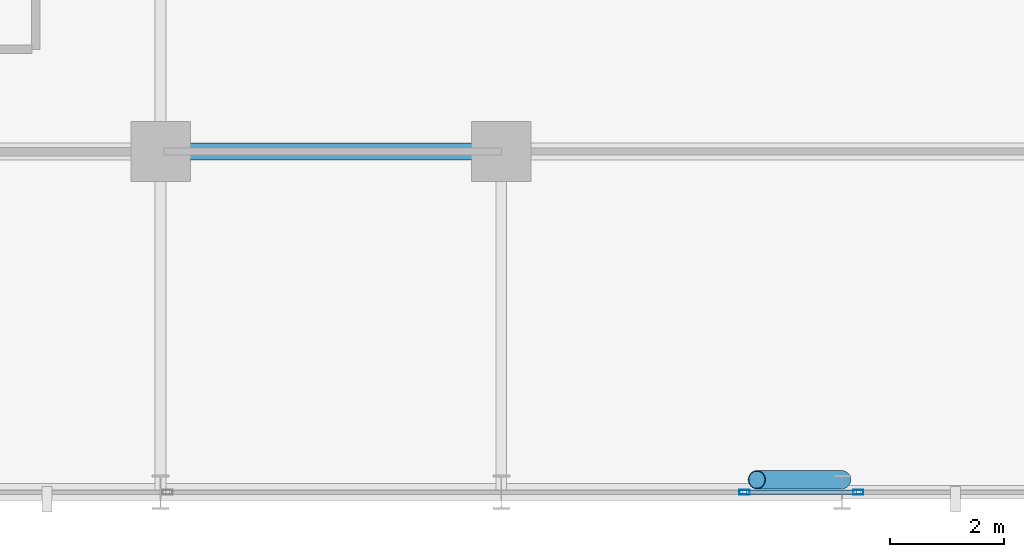
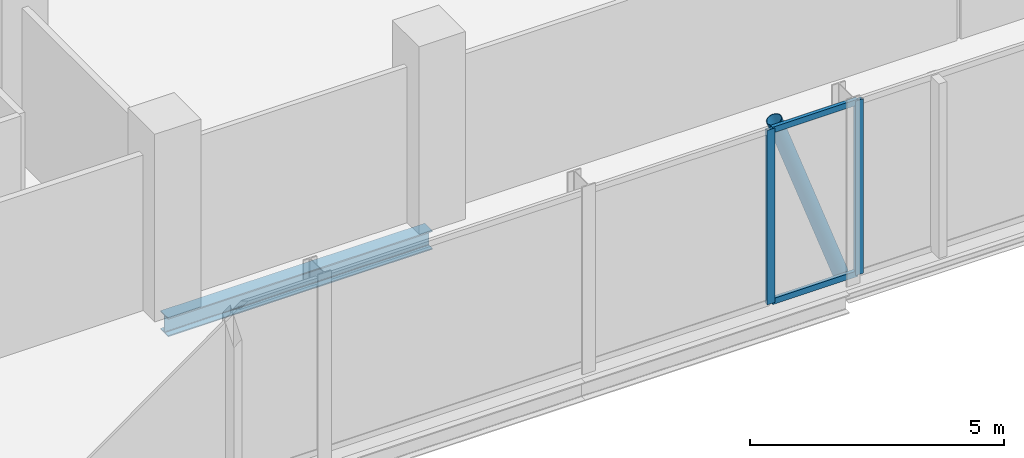
# One storey, part 8 of 31: 5 members, 1 beam, 2 elements without a shape of their own.
"""IFC4 building model written with IfcOpenShell, lengths in metres."""

from ifc_helpers import new_model, si_unit, direction, frame, origin, origin_2d, place, context, subcontext, project, spatial, hollow_rectangle, hollow_circle, i_section, extrude, material, layer, layer_set, material_profile, profile_set, type_object, element, aggregate, save


model = new_model("IFC4")

# Units and contexts
model_context = context("Model", 3, precision=1e-05, world=origin(), true_north=direction((0.0, 1.0)))
body_context = subcontext(model_context, "Body", "Model", "MODEL_VIEW")
ifc_project = project(units=[si_unit("LENGTHUNIT", "METRE"), si_unit("AREAUNIT", "SQUARE_METRE"), si_unit("VOLUMEUNIT", "CUBIC_METRE"), si_unit("PLANEANGLEUNIT", "RADIAN"), si_unit("MASSUNIT", "GRAM", prefix="KILO")], contexts=[model_context])

# Site, building, storey
site_placement = place(None, origin())
site = spatial("IfcSite", under=ifc_project, at=site_placement, CompositionType="ELEMENT")
building_placement = place(site_placement, origin())
building = spatial("IfcBuilding", under=site, at=building_placement, Name="Keshet Zoharim Tower", CompositionType="ELEMENT")
storey_placement = place(building_placement, frame((0.0, 0.0, 125.300048828125)))
storey = spatial("IfcBuildingStorey", under=building, at=storey_placement, Name="L30", CompositionType="ELEMENT", Elevation=125.300048828125)

# Beam
ifc_material_1 = material(Name="Steel S355", Category="steel")
ifc_material_profile_1 = material_profile(ifc_material_1, i_section(OverallWidth=0.300048828125, OverallDepth=0.449951171875, WebThickness=0.013916015625, FlangeThickness=0.02587890625, FilletRadius=0.027099609375, at=origin_2d()), Name="HEB450")
ifc_profile_set_1 = profile_set([ifc_material_profile_1], Name="Steel S355")
beam_type = type_object("IfcBeamType", Name="BM-WEB-HB450", PredefinedType="BEAM", material=ifc_profile_set_1)
beam_placement = place(storey_placement, frame((33.0, 6.699951171875, -0.545166015625), z_axis=(1.0, 0.0, 0.0), x_axis=(0.0, 1.0, 0.0)))
element("IfcBeam", 1, at=beam_placement, inside=storey, type_object=beam_type, Name="L30 Primary Girder X-007", PredefinedType="BEAM", context=body_context, shape_type="SweptSolid", body=[
    extrude(i_section(OverallWidth=0.300048828125, OverallDepth=0.449951171875, WebThickness=0.013916015625, FlangeThickness=0.02587890625, FilletRadius=0.027099609375, at=origin_2d()), origin(), (0.0, 0.0, 1.0), 6.0),
])

# Curtain wall, member
ifc_material_2 = material(Name="Aluminium 6063-T6", Category="aluminium")
ifc_layer = layer(ifc_material_2, 0.14990234375)
ifc_layer_set = layer_set([ifc_layer], Name="Aluminium 6063-T6")
curtain_wall_type = type_object("IfcCurtainWallType", Name="CW-SYS-04", PredefinedType="NOTDEFINED", material=ifc_layer_set)
curtain_wall_1_placement = place(storey_placement, origin())
curtain_wall_1 = element("IfcCurtainWall", 2, at=curtain_wall_1_placement, inside=storey, type_object=curtain_wall_type, Name="L30 Unitised Curtain Wall 09", PredefinedType="NOTDEFINED")
ifc_material_profile_2 = material_profile(ifc_material_2, hollow_rectangle(XDim=0.080078125, YDim=0.179931640625, WallThickness=0.00439453125, at=origin_2d()), Name="MUL-80x180")
ifc_profile_set_2 = profile_set([ifc_material_profile_2], Name="Aluminium 6063-T6")
member_type_1 = type_object("IfcMemberType", Name="CWM-M18", PredefinedType="MULLION", material=ifc_profile_set_2)
member_1_placement = place(storey_placement, frame((45.28759765625, 0.699951171875, 0.0), z_axis=(0.0, 0.0, 1.0), x_axis=(0.0, -1.0, 0.0)))
member_1 = element("IfcMember", 3, at=member_1_placement, type_object=member_type_1, Name="CW-04 mullion 2", PredefinedType="MULLION", context=body_context, shape_type="SweptSolid", body=[
    extrude(hollow_rectangle(XDim=0.080078125, YDim=0.179931640625, WallThickness=0.00439453125, at=origin_2d()), origin(), (0.0, 0.0, 1.0), 4.18505859375),
])
aggregate(curtain_wall_1, [member_1])

# Curtain wall, members
curtain_wall_2_placement = place(storey_placement, origin())
curtain_wall_2 = element("IfcCurtainWall", 4, at=curtain_wall_2_placement, inside=storey, type_object=curtain_wall_type, Name="L30 Unitised Curtain Wall 09 Part 2", PredefinedType="NOTDEFINED")
member_2_placement = place(storey_placement, frame((43.282470703125, 0.699951171875, 0.0), z_axis=(0.0, 0.0, 1.0), x_axis=(0.0, -1.0, 0.0)))
member_2 = element("IfcMember", 5, at=member_2_placement, type_object=member_type_1, Name="CW-04 mullion 2", PredefinedType="MULLION", context=body_context, shape_type="SweptSolid", body=[
    extrude(hollow_rectangle(XDim=0.080078125, YDim=0.179931640625, WallThickness=0.00439453125, at=origin_2d()), origin(), (0.0, 0.0, 1.0), 4.18505859375),
])
ifc_material_profile_3 = material_profile(ifc_material_2, hollow_rectangle(XDim=0.080078125, YDim=0.139892578125, WallThickness=0.00390625, at=origin_2d()), Name="TRN-80x140")
ifc_profile_set_3 = profile_set([ifc_material_profile_3], Name="Aluminium 6063-T6")
member_type_2 = type_object("IfcMemberType", Name="CWT-T14", PredefinedType="USERDEFINED", material=ifc_profile_set_3)
member_3_placement = place(storey_placement, frame((45.25244140625, 0.699951171875, 0.034912109375), z_axis=(-1.0, 0.0, 0.0), x_axis=(0.0, -1.0, 0.0)))
member_3 = element("IfcMember", 6, at=member_3_placement, type_object=member_type_2, Name="CW-04 transom 1.1", ObjectType="TRANSOM", PredefinedType="USERDEFINED", context=body_context, shape_type="SweptSolid", body=[
    extrude(hollow_rectangle(XDim=0.080078125, YDim=0.139892578125, WallThickness=0.00390625, at=origin_2d()), origin(), (0.0, 0.0, 1.0), 1.93505859375),
])
member_4_placement = place(storey_placement, frame((45.25244140625, 0.699951171875, 4.14990234375), z_axis=(-1.0, 0.0, 0.0), x_axis=(0.0, -1.0, 0.0)))
member_4 = element("IfcMember", 7, at=member_4_placement, type_object=member_type_2, Name="CW-04 transom 1.2", ObjectType="TRANSOM", PredefinedType="USERDEFINED", context=body_context, shape_type="SweptSolid", body=[
    extrude(hollow_rectangle(XDim=0.080078125, YDim=0.139892578125, WallThickness=0.00390625, at=origin_2d()), origin(), (0.0, 0.0, 1.0), 1.93505859375),
])
aggregate(curtain_wall_2, [member_2, member_3, member_4])

# Member
ifc_material_profile_4 = material_profile(ifc_material_1, hollow_circle(Radius=0.161865234375, WallThickness=0.012451171875, at=origin_2d()), Name="CHS323x12.5")
ifc_profile_set_4 = profile_set([ifc_material_profile_4], Name="Steel S355")
member_type_3 = type_object("IfcMemberType", Name="MB-BR-C323", PredefinedType="BRACE", material=ifc_profile_set_4)
member_5_placement = place(storey_placement, frame((45.0, 0.919921875, 0.0), z_axis=(-0.337400697546, 0.0, 0.941361125868), x_axis=(0.0, -1.0, 0.0)))
element("IfcMember", 8, at=member_5_placement, inside=storey, type_object=member_type_3, Name="L30 Perimeter Tube Brace 04", PredefinedType="BRACE", context=body_context, shape_type="SweptSolid", body=[
    extrude(hollow_circle(Radius=0.161865234375, WallThickness=0.012451171875, at=origin_2d()), origin(), (0.0, 0.0, 1.0), 4.44580078125),
])

save(model, "model.ifc")
